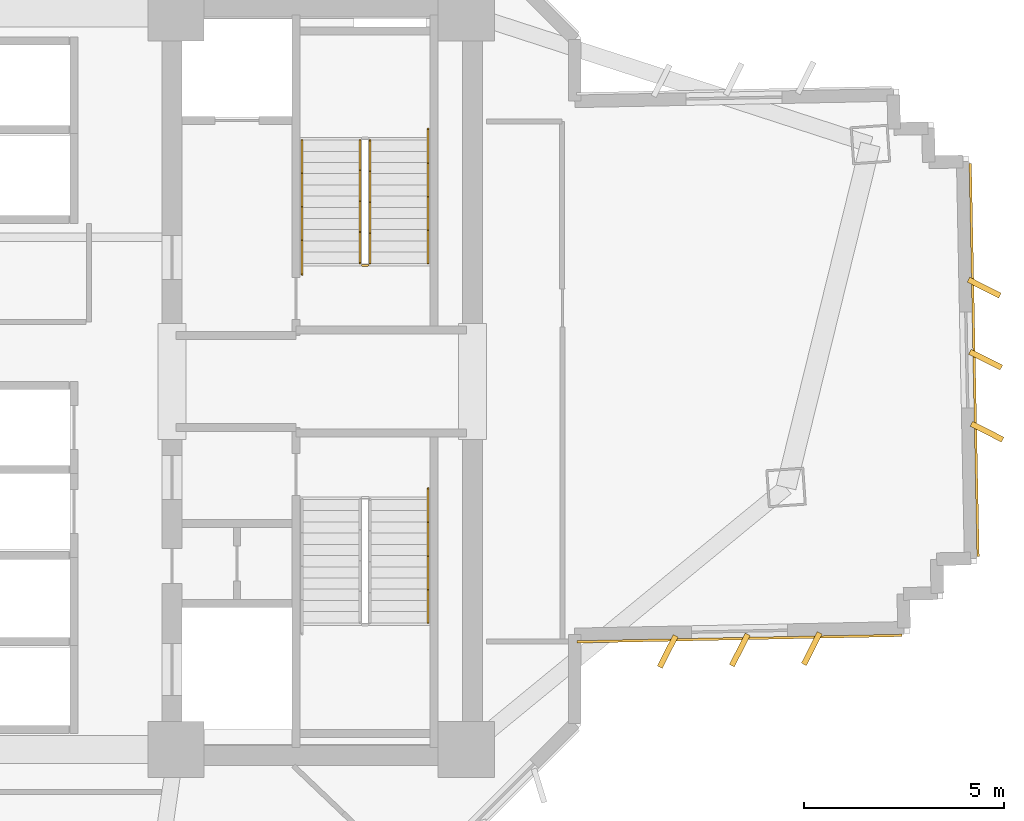
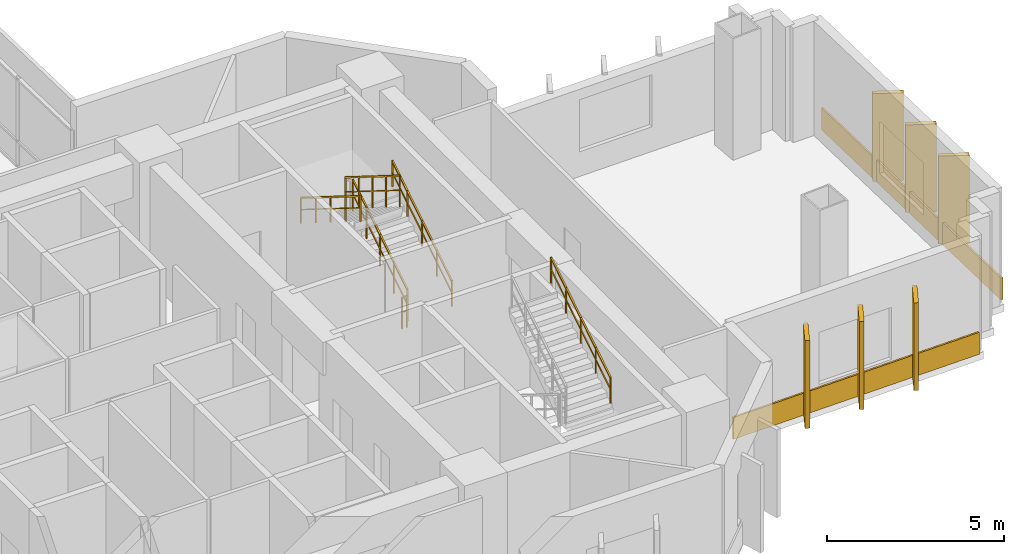
# One storey, part 13 of 15: 8 coverings, 6 railings.
"""IFC4 building model written with IfcOpenShell, lengths in metres."""

import ifcopenshell
import ifcopenshell.guid

model = None  # the IFC model being written
_history = None  # IfcOwnerHistory: only IFC2X3 demands one
_inside = {}  # id of a spatial element -> (the spatial element, [elements in it])
_under = {}  # id of a project, library or spatial element -> (it, [spatial elements below it])
_declared = {}  # id of a project -> (the project, [libraries it declares])
_typed = {}  # id of a type object -> (the type object, [elements of that type])
_made_of = {}  # id of a material, layer set ... -> (it, [elements and type objects made of it])


def new_model(schema):
    """Start an empty IFC model of exactly this schema.

    Asked for "IFC4X3", IfcOpenShell would pick the latest addendum, in which some entities
    have other attributes; the version numbers below select the first issue.
    IFC2X3 requires an IfcOwnerHistory on every rooted entity: one is made here for all.
    """
    global model, _history
    if schema == "IFC4X3":
        model = ifcopenshell.file(schema_version=(4, 3, 0, 0))
    else:
        model = ifcopenshell.file(schema=schema)
    _inside.clear()
    _under.clear()
    _declared.clear()
    _typed.clear()
    _made_of.clear()
    _history = None
    if model.schema == "IFC2X3":
        org = make("IfcOrganization", Name="unknown")
        user = make(
            "IfcPersonAndOrganization",
            ThePerson=make("IfcPerson", FamilyName="unknown"),
            TheOrganization=org,
        )
        app = make(
            "IfcApplication",
            ApplicationDeveloper=org,
            Version="unknown",
            ApplicationFullName="unknown",
            ApplicationIdentifier="unknown",
        )
        _history = make(
            "IfcOwnerHistory",
            OwningUser=user,
            OwningApplication=app,
            ChangeAction="ADDED",
            CreationDate=0,
        )
    return model


def make(cls, **values):
    """One entity of the class cls with the attributes given. An attribute that is None is left unset."""
    return model.create_entity(
        cls, **{name: value for name, value in values.items() if value is not None}
    )


def rooted(cls, **values):
    """An entity with a GlobalId (a new one), such as an element, a storey or a relation."""
    return make(cls, GlobalId=ifcopenshell.guid.new(), OwnerHistory=_history, **values)


def si_unit(unit_type, name, prefix=None):
    """IfcSIUnit, for example si_unit("LENGTHUNIT", "METRE", prefix="MILLI")."""
    return make("IfcSIUnit", UnitType=unit_type, Prefix=prefix, Name=name)


def assignment(units):
    """IfcUnitAssignment: the units of a project."""
    return None if units is None else make("IfcUnitAssignment", Units=units)


def point(xyz):
    """IfcCartesianPoint."""
    return None if xyz is None else make("IfcCartesianPoint", Coordinates=xyz)


def direction(xyz):
    """IfcDirection."""
    return None if xyz is None else make("IfcDirection", DirectionRatios=xyz)


def frame(location, z_axis=None, x_axis=None):
    """IfcAxis2Placement3D, a coordinate frame: its origin and axes. An axis left out is left unset."""
    return make(
        "IfcAxis2Placement3D",
        Location=point(location),
        Axis=direction(z_axis),
        RefDirection=direction(x_axis),
    )


def frame_2d(location, x_axis=None):
    """IfcAxis2Placement2D, a coordinate frame in the plane: its origin and x axis."""
    return make(
        "IfcAxis2Placement2D", Location=point(location), RefDirection=direction(x_axis)
    )


def origin():
    """The frame at (0, 0, 0) with its axes left unset."""
    return frame((0.0, 0.0, 0.0))


def origin_2d():
    """The frame at (0, 0) in the plane with its x axis left unset."""
    return frame_2d((0.0, 0.0))


def place(relative_to, where):
    """IfcLocalPlacement: puts the frame where relative to a parent placement (None: the world)."""
    return make(
        "IfcLocalPlacement", PlacementRelTo=relative_to, RelativePlacement=where
    )


def context(
    kind, dimensions, precision=None, world=None, true_north=None, identifier=None
):
    """IfcGeometricRepresentationContext, for example the 3D "Model" context."""
    return make(
        "IfcGeometricRepresentationContext",
        ContextIdentifier=identifier,
        ContextType=kind,
        CoordinateSpaceDimension=dimensions,
        Precision=precision,
        WorldCoordinateSystem=world,
        TrueNorth=true_north,
    )


def subcontext(parent, identifier, kind, view, scale=None):
    """IfcGeometricRepresentationSubContext, for example "Body" below "Model"."""
    return make(
        "IfcGeometricRepresentationSubContext",
        ContextIdentifier=identifier,
        ContextType=kind,
        ParentContext=parent,
        TargetScale=scale,
        TargetView=view,
    )


def project(units=None, contexts=None):
    """IfcProject with its units and contexts."""
    return rooted(
        "IfcProject",
        Name="project",
        RepresentationContexts=contexts,
        UnitsInContext=assignment(units),
    )


def spatial(cls, under=None, at=None, **own):
    """A site, building, storey or space (cls), placed at a placement, below another one or the project."""
    s = rooted(cls, ObjectPlacement=at, **own)
    if under is not None:
        _under.setdefault(under.id(), (under, []))[1].append(s)
    return s


def profile(cls, at=None, kind="AREA", **sizes):
    """A parametric profile (cls). Its sizes go by their IFC names, for example OverallWidth=200.0."""
    return make(cls, ProfileType=kind, Position=at, **sizes)


def rectangle(**sizes):
    """IfcRectangleProfileDef."""
    return profile("IfcRectangleProfileDef", **sizes)


def extrude(swept, where, along, depth):
    """IfcExtrudedAreaSolid: the profile swept, set in the frame where, extruded along a direction by depth."""
    return make(
        "IfcExtrudedAreaSolid",
        SweptArea=swept,
        Position=where,
        ExtrudedDirection=direction(along),
        Depth=depth,
    )


def shape(context_of_items, identifier, shape_type, items):
    """IfcShapeRepresentation: the items that make up one representation, for example the "Body"."""
    return make(
        "IfcShapeRepresentation",
        ContextOfItems=context_of_items,
        RepresentationIdentifier=identifier,
        RepresentationType=shape_type,
        Items=items,
    )


def source(mapping_origin, context_of_items, identifier, shape_type, items):
    """IfcRepresentationMap: a shape defined once, which mapped items show again and again."""
    return make(
        "IfcRepresentationMap",
        MappingOrigin=mapping_origin,
        MappedRepresentation=shape(context_of_items, identifier, shape_type, items),
    )


def transform(
    local_origin,
    x_axis=None,
    y_axis=None,
    z_axis=None,
    scale=None,
    scale2=None,
    scale3=None,
    uniform=True,
):
    """IfcCartesianTransformationOperator3D, or its non-uniform kind. x_axis, y_axis, z_axis: its Axis1, 2, 3."""
    if uniform:
        return make(
            "IfcCartesianTransformationOperator3D",
            Axis1=direction(x_axis),
            Axis2=direction(y_axis),
            LocalOrigin=point(local_origin),
            Scale=scale,
            Axis3=direction(z_axis),
        )
    return make(
        "IfcCartesianTransformationOperator3DnonUniform",
        Axis1=direction(x_axis),
        Axis2=direction(y_axis),
        LocalOrigin=point(local_origin),
        Scale=scale,
        Axis3=direction(z_axis),
        Scale2=scale2,
        Scale3=scale3,
    )


def mapped(mapping_source, mapping_target):
    """IfcMappedItem: shows the shape of a source again, moved by a transform."""
    return make(
        "IfcMappedItem", MappingSource=mapping_source, MappingTarget=mapping_target
    )


def material(Name=None, Category=None):
    """IfcMaterial."""
    return make("IfcMaterial", Name=Name, Category=Category)


def layer(
    of_material, thickness, ventilated=None, Name=None, Category=None, Priority=None
):
    """IfcMaterialLayer: one layer of a wall or slab, of a material (None: an air gap)."""
    return make(
        "IfcMaterialLayer",
        Material=of_material,
        LayerThickness=thickness,
        IsVentilated=ventilated,
        Name=Name,
        Category=Category,
        Priority=Priority,
    )


def layer_set(layers, Name=None):
    """IfcMaterialLayerSet."""
    return make("IfcMaterialLayerSet", MaterialLayers=layers, LayerSetName=Name)


def made_of(thing, what):
    """Note that an element or type object is made of a material, layer set ...; save() writes the relation."""
    if what is not None:
        _made_of.setdefault(what.id(), (what, []))[1].append(thing)
    return thing


def type_object(cls, material=None, **own):
    """A type object (cls), such as IfcWallType, which elements share."""
    return made_of(rooted(cls, **own), material)


def element(
    cls,
    number,
    at=None,
    inside=None,
    cuts=None,
    type_object=None,
    material=None,
    context=None,
    identifier="Body",
    shape_type=None,
    held_by="IfcProductDefinitionShape",
    body=None,
    shapes=None,
    **own,
):
    """One element of the class cls, such as IfcWall. Its Tag is "e" and its number.

    at: its placement. inside: the storey or other place that contains it. cuts: it is an
    opening in that element (IfcRelVoidsElement). A single representation is given by context,
    identifier, shape_type and body (its items); several are given by shapes. held_by: the class
    of the entity that holds the representations. save() writes the other relations.
    """
    e = rooted(cls, Tag="e%d" % number, ObjectPlacement=at, **own)
    if body is not None:
        shapes = [shape(context, identifier, shape_type, body)]
    if shapes is not None:
        e.Representation = make(held_by, Representations=shapes)
    if inside is not None:
        _inside.setdefault(inside.id(), (inside, []))[1].append(e)
    if cuts is not None:
        rooted(
            "IfcRelVoidsElement", RelatingBuildingElement=cuts, RelatedOpeningElement=e
        )
    if type_object is not None:
        _typed.setdefault(type_object.id(), (type_object, []))[1].append(e)
    return made_of(e, material)


def aggregate(whole, parts):
    """IfcRelAggregates: a whole, such as a stair, and the parts it consists of."""
    return rooted("IfcRelAggregates", RelatingObject=whole, RelatedObjects=parts)


def save(model, path):
    """Write the relations noted so far, then the file.

    IfcRelAggregates (storeys below a building ...), IfcRelContainedInSpatialStructure (elements
    in a storey), IfcRelDefinesByType, IfcRelAssociatesMaterial and IfcRelDeclares: one each for
    every whole, place, type object, material and project.
    """
    for whole, parts in _under.values():
        aggregate(whole, parts)
    for where, things in _inside.values():
        rooted(
            "IfcRelContainedInSpatialStructure",
            RelatedElements=things,
            RelatingStructure=where,
        )
    for kind, things in _typed.values():
        rooted("IfcRelDefinesByType", RelatedObjects=things, RelatingType=kind)
    for what, things in _made_of.values():
        rooted("IfcRelAssociatesMaterial", RelatedObjects=things, RelatingMaterial=what)
    for by, libraries in _declared.values():
        rooted("IfcRelDeclares", RelatingContext=by, RelatedDefinitions=libraries)
    model.write(path)


model = new_model("IFC4")

# Units and contexts
model_context = context("Model", 3, precision=1e-05, world=origin(), true_north=direction((0.0, 1.0)))
body_context = subcontext(model_context, "Body", "Model", "MODEL_VIEW")
ifc_project = project(units=[si_unit("LENGTHUNIT", "METRE"), si_unit("AREAUNIT", "SQUARE_METRE"), si_unit("VOLUMEUNIT", "CUBIC_METRE"), si_unit("PLANEANGLEUNIT", "RADIAN"), si_unit("MASSUNIT", "GRAM", prefix="KILO")], contexts=[model_context])

# Site, building, storey
site_placement = place(None, origin())
site = spatial("IfcSite", under=ifc_project, at=site_placement, CompositionType="ELEMENT")
building_placement = place(site_placement, origin())
building = spatial("IfcBuilding", under=site, at=building_placement, Name="Zahravan Cultural Tower", CompositionType="ELEMENT")
storey_placement = place(building_placement, frame((0.0, 0.0, 50.10009765625)))
storey = spatial("IfcBuildingStorey", under=building, at=storey_placement, Name="L10", CompositionType="ELEMENT", Elevation=50.10009765625)

# Railings
ifc_material_1 = material(Name="Steel ASTM A572 Grade 50", Category="steel")
railing_type_1 = type_object("IfcRailingType", Name="RL-STAIR-GRD1150", PredefinedType="BALUSTRADE", material=ifc_material_1)
railing_1_placement = place(storey_placement, frame((47.949951171875, 29.949951171875, 0.1748046875)))
element("IfcRailing", 1, at=railing_1_placement, inside=storey, type_object=railing_type_1, Name="L10 ST-E1 stair guard 1", PredefinedType="BALUSTRADE", context=body_context, shape_type="SweptSolid", body=[
    extrude(rectangle(XDim=0.05, YDim=0.05, at=origin_2d()), frame((0.0, 0.0, 1.0751953125), z_axis=(0.0, 0.847998304005, 0.529998940003), x_axis=(-1.0, 0.0, 0.0)), (0.0, 0.0, 1.0), 3.632080078125),
    extrude(rectangle(XDim=0.032, YDim=0.032, at=origin_2d()), frame((0.0, 0.0, 0.572021484375), z_axis=(0.0, 0.847998304005, 0.529998940003), x_axis=(-1.0, 0.0, 0.0)), (0.0, 0.0, 1.0), 3.632080078125),
    extrude(rectangle(XDim=0.04, YDim=0.04, at=origin_2d()), origin(), (0.0, 0.0, 1.0), 1.10009765625),
    extrude(rectangle(XDim=0.04, YDim=0.04, at=origin_2d()), frame((0.0, 0.77001953125, 0.481201171875)), (0.0, 0.0, 1.0), 1.10009765625),
    extrude(rectangle(XDim=0.04, YDim=0.04, at=origin_2d()), frame((0.0, 1.5400390625, 0.96240234375)), (0.0, 0.0, 1.0), 1.10009765625),
    extrude(rectangle(XDim=0.04, YDim=0.04, at=origin_2d()), frame((0.0, 2.31005859375, 1.44384765625)), (0.0, 0.0, 1.0), 1.10009765625),
    extrude(rectangle(XDim=0.04, YDim=0.04, at=origin_2d()), frame((0.0, 3.080078125, 1.925048828125)), (0.0, 0.0, 1.0), 1.10009765625),
])
railing_2_placement = place(storey_placement, frame((47.699951171875, 33.030029296875, 2.27490234375)))
element("IfcRailing", 2, at=railing_2_placement, inside=storey, type_object=railing_type_1, Name="L10 ST-E1 stair guard 3", PredefinedType="BALUSTRADE", context=body_context, shape_type="SweptSolid", body=[
    extrude(rectangle(XDim=0.05, YDim=0.05, at=origin_2d()), frame((0.0, 0.0, 1.0751953125), z_axis=(0.0, -0.847998304005, 0.529998940003), x_axis=(1.0, 0.0, 0.0)), (0.0, 0.0, 1.0), 3.632080078125),
    extrude(rectangle(XDim=0.032, YDim=0.032, at=origin_2d()), frame((0.0, 0.0, 0.572021484375), z_axis=(0.0, -0.847998304005, 0.529998940003), x_axis=(1.0, 0.0, 0.0)), (0.0, 0.0, 1.0), 3.632080078125),
    extrude(rectangle(XDim=0.04, YDim=0.04, at=origin_2d()), origin(), (0.0, 0.0, 1.0), 1.10009765625),
    extrude(rectangle(XDim=0.04, YDim=0.04, at=origin_2d()), frame((0.0, -0.77001953125, 0.481201171875)), (0.0, 0.0, 1.0), 1.10009765625),
    extrude(rectangle(XDim=0.04, YDim=0.04, at=origin_2d()), frame((0.0, -1.5400390625, 0.96240234375)), (0.0, 0.0, 1.0), 1.10009765625),
    extrude(rectangle(XDim=0.04, YDim=0.04, at=origin_2d()), frame((0.0, -2.31005859375, 1.44384765625)), (0.0, 0.0, 1.0), 1.10009765625),
    extrude(rectangle(XDim=0.04, YDim=0.04, at=origin_2d()), frame((0.0, -3.080078125, 1.925048828125)), (0.0, 0.0, 1.0), 1.10009765625),
])
railing_3_placement = place(storey_placement, frame((47.89990234375, 29.89990234375, 0.0)))
element("IfcRailing", 3, at=railing_3_placement, inside=storey, type_object=railing_type_1, Name="L10 ST-E1 stair guard 4", PredefinedType="BALUSTRADE", context=body_context, shape_type="SweptSolid", body=[
    extrude(rectangle(XDim=0.05, YDim=0.05, at=origin_2d()), frame((0.0, 0.0, 1.0751953125), z_axis=(-1.0, 0.0, 0.0), x_axis=(0.0, -1.0, 0.0)), (0.0, 0.0, 1.0), 0.14990234375),
    extrude(rectangle(XDim=0.032, YDim=0.032, at=origin_2d()), frame((0.0, 0.0, 0.572021484375), z_axis=(-1.0, 0.0, 0.0), x_axis=(0.0, -1.0, 0.0)), (0.0, 0.0, 1.0), 0.14990234375),
    extrude(rectangle(XDim=0.04, YDim=0.04, at=origin_2d()), origin(), (0.0, 0.0, 1.0), 1.10009765625),
    extrude(rectangle(XDim=0.04, YDim=0.04, at=origin_2d()), frame((-0.14990234375, 0.0, 0.0)), (0.0, 0.0, 1.0), 1.10009765625),
])
railing_type_2 = type_object("IfcRailingType", Name="RL-STAIR-HR900", PredefinedType="HANDRAIL", material=ifc_material_1)
railing_4_placement = place(storey_placement, frame((49.39990234375, 29.949951171875, 0.1748046875)))
element("IfcRailing", 4, at=railing_4_placement, inside=storey, type_object=railing_type_2, Name="L10 ST-E1 stair handrail 1", PredefinedType="HANDRAIL", context=body_context, shape_type="SweptSolid", body=[
    extrude(rectangle(XDim=0.05, YDim=0.05, at=origin_2d()), frame((0.0, 0.0, 0.875), z_axis=(0.0, 0.847994842521, 0.530004478338), x_axis=(-1.0, 0.0, 0.0)), (0.0, 0.0, 1.0), 3.96240234375),
    extrude(rectangle(XDim=0.032, YDim=0.032, at=origin_2d()), frame((0.0, 0.0, 0.468017578125), z_axis=(0.0, 0.847994842521, 0.530004478338), x_axis=(-1.0, 0.0, 0.0)), (0.0, 0.0, 1.0), 3.96240234375),
    extrude(rectangle(XDim=0.04, YDim=0.04, at=origin_2d()), origin(), (0.0, 0.0, 1.0), 0.89990234375),
    extrude(rectangle(XDim=0.04, YDim=0.04, at=origin_2d()), frame((0.0, 0.840087890625, 0.52490234375)), (0.0, 0.0, 1.0), 0.89990234375),
    extrude(rectangle(XDim=0.04, YDim=0.04, at=origin_2d()), frame((0.0, 1.68017578125, 1.050048828125)), (0.0, 0.0, 1.0), 0.89990234375),
    extrude(rectangle(XDim=0.04, YDim=0.04, at=origin_2d()), frame((0.0, 2.52001953125, 1.5751953125)), (0.0, 0.0, 1.0), 0.89990234375),
    extrude(rectangle(XDim=0.04, YDim=0.04, at=origin_2d()), frame((0.0, 3.360107421875, 2.10009765625)), (0.0, 0.0, 1.0), 0.89990234375),
])
railing_5_placement = place(storey_placement, frame((46.25, 33.030029296875, 2.27490234375)))
element("IfcRailing", 5, at=railing_5_placement, inside=storey, type_object=railing_type_2, Name="L10 ST-E1 stair handrail 2", PredefinedType="HANDRAIL", context=body_context, shape_type="SweptSolid", body=[
    extrude(rectangle(XDim=0.05, YDim=0.05, at=origin_2d()), frame((0.0, 0.0, 0.875), z_axis=(0.0, -0.847994842521, 0.530004478338), x_axis=(1.0, 0.0, 0.0)), (0.0, 0.0, 1.0), 3.96240234375),
    extrude(rectangle(XDim=0.032, YDim=0.032, at=origin_2d()), frame((0.0, 0.0, 0.468017578125), z_axis=(0.0, -0.847994842521, 0.530004478338), x_axis=(1.0, 0.0, 0.0)), (0.0, 0.0, 1.0), 3.96240234375),
    extrude(rectangle(XDim=0.04, YDim=0.04, at=origin_2d()), origin(), (0.0, 0.0, 1.0), 0.89990234375),
    extrude(rectangle(XDim=0.04, YDim=0.04, at=origin_2d()), frame((0.0, -0.840087890625, 0.52490234375)), (0.0, 0.0, 1.0), 0.89990234375),
    extrude(rectangle(XDim=0.04, YDim=0.04, at=origin_2d()), frame((0.0, -1.68017578125, 1.050048828125)), (0.0, 0.0, 1.0), 0.89990234375),
    extrude(rectangle(XDim=0.04, YDim=0.04, at=origin_2d()), frame((0.0, -2.52001953125, 1.5751953125)), (0.0, 0.0, 1.0), 0.89990234375),
    extrude(rectangle(XDim=0.04, YDim=0.04, at=origin_2d()), frame((0.0, -3.360107421875, 2.10009765625)), (0.0, 0.0, 1.0), 0.89990234375),
])
railing_6_placement = place(storey_placement, frame((49.39990234375, 20.969970703125, 2.27490234375)))
element("IfcRailing", 6, at=railing_6_placement, inside=storey, type_object=railing_type_2, Name="L10 ST-E2 stair handrail 2", PredefinedType="HANDRAIL", context=body_context, shape_type="SweptSolid", body=[
    extrude(rectangle(XDim=0.05, YDim=0.05, at=origin_2d()), frame((0.0, 0.0, 0.875), z_axis=(0.0, 0.847994842521, 0.530004478338), x_axis=(-1.0, 0.0, 0.0)), (0.0, 0.0, 1.0), 3.96240234375),
    extrude(rectangle(XDim=0.032, YDim=0.032, at=origin_2d()), frame((0.0, 0.0, 0.468017578125), z_axis=(0.0, 0.847994842521, 0.530004478338), x_axis=(-1.0, 0.0, 0.0)), (0.0, 0.0, 1.0), 3.96240234375),
    extrude(rectangle(XDim=0.04, YDim=0.04, at=origin_2d()), origin(), (0.0, 0.0, 1.0), 0.89990234375),
    extrude(rectangle(XDim=0.04, YDim=0.04, at=origin_2d()), frame((0.0, 0.840087890625, 0.52490234375)), (0.0, 0.0, 1.0), 0.89990234375),
    extrude(rectangle(XDim=0.04, YDim=0.04, at=origin_2d()), frame((0.0, 1.68017578125, 1.050048828125)), (0.0, 0.0, 1.0), 0.89990234375),
    extrude(rectangle(XDim=0.04, YDim=0.04, at=origin_2d()), frame((0.0, 2.52001953125, 1.5751953125)), (0.0, 0.0, 1.0), 0.89990234375),
    extrude(rectangle(XDim=0.04, YDim=0.04, at=origin_2d()), frame((0.0, 3.360107421875, 2.10009765625)), (0.0, 0.0, 1.0), 0.89990234375),
])

# Coverings
ifc_material_2 = material(Name="Terracotta ceramic cladding", Category="masonry")
ifc_layer = layer(ifc_material_2, 0.06005859375)
ifc_layer_set = layer_set([ifc_layer], Name="Terracotta ceramic cladding")
covering_type = type_object("IfcCoveringType", Name="COV-CLAD-TC60", PredefinedType="CLADDING", material=ifc_layer_set)
shared_shape_1 = source(origin(), body_context, "Body", "SweptSolid", [
    extrude(rectangle(XDim=9.820068359375, YDim=0.06005859375, at=origin_2d()), origin(), (0.0, 0.0, 1.0), 0.760009765625),
])
covering_1_placement = place(storey_placement, frame((63.03955078125, 27.5380859375, 0.02001953125), z_axis=(0.0, 0.0, 1.0), x_axis=(0.019895440708, -0.999802066131, 0.0)))
element("IfcCovering", 7, at=covering_1_placement, inside=storey, type_object=covering_type, Name="L10 Terracotta Spandrel Cladding 06", PredefinedType="CLADDING", context=body_context, shape_type="MappedRepresentation", body=[
    mapped(shared_shape_1, transform((0.0, 0.0, 0.0), x_axis=(1.0, 0.0, 0.0), y_axis=(0.0, 1.0, 0.0), z_axis=(0.0, 0.0, 1.0), scale=1.0)),
])
shared_shape_2 = source(origin(), body_context, "Body", "SweptSolid", [
    extrude(rectangle(XDim=0.8798828125, YDim=0.139892578125, at=origin_2d()), origin(), (0.0, 0.0, 1.0), 3.030029296875),
])
for number, where, z_axis, x_axis, name in (
    (8, (63.288818359375, 29.343505859375, 0.0498046875), (0.0, 0.0, 1.0), (0.892113171267, -0.451812006981, 0.0), "L10 Herringbone Terracotta Fin 04"),
    (9, (63.32470703125, 27.543701171875, 0.0498046875), (0.0, 0.0, 1.0), (0.892113171267, -0.451812006981, 0.0), "L10 Herringbone Terracotta Fin 05"),
    (10, (63.3603515625, 25.744140625, 0.0498046875), (0.0, 0.0, 1.0), (0.892113171267, -0.451812006981, 0.0), "L10 Herringbone Terracotta Fin 06"),
    (11, (58.982666015625, 20.325927734375, 0.0498046875), (0.0, 0.0, 1.0), (-0.4517964366, -0.892121056738, 0.0), "L10 Herringbone Terracotta Fin 07"),
    (12, (57.18310546875, 20.2900390625, 0.0498046875), (0.0, 0.0, 1.0), (-0.4517964366, -0.892121056738, 0.0), "L10 Herringbone Terracotta Fin 08"),
    (13, (55.383544921875, 20.25439453125, 0.0498046875), (0.0, 0.0, 1.0), (-0.4517964366, -0.892121056738, 0.0), "L10 Herringbone Terracotta Fin 09"),
):
    element("IfcCovering", number, at=place(storey_placement, frame(where, z_axis=z_axis, x_axis=x_axis)), inside=storey, type_object=covering_type, Name=name, PredefinedType="CLADDING", context=body_context, shape_type="MappedRepresentation", body=[
        mapped(shared_shape_2, transform((0.0, 0.0, 0.0), x_axis=(1.0, 0.0, 0.0), y_axis=(0.0, 1.0, 0.0), z_axis=(0.0, 0.0, 1.0), scale=1.0)),
    ])
shared_shape_3 = source(origin(), body_context, "Body", "SweptSolid", [
    extrude(rectangle(XDim=8.129150390625, YDim=0.06005859375, at=origin_2d()), origin(), (0.0, 0.0, 1.0), 0.760009765625),
])
covering_2_placement = place(storey_placement, frame((57.177490234375, 20.574951171875, 0.02001953125), z_axis=(0.0, 0.0, 1.0), x_axis=(-0.999801718737, -0.019912890543, 0.0)))
element("IfcCovering", 14, at=covering_2_placement, inside=storey, type_object=covering_type, Name="L10 Terracotta Spandrel Cladding 11", PredefinedType="CLADDING", context=body_context, shape_type="MappedRepresentation", body=[
    mapped(shared_shape_3, transform((0.0, 0.0, 0.0), x_axis=(1.0, 0.0, 0.0), y_axis=(0.0, 1.0, 0.0), z_axis=(0.0, 0.0, 1.0), scale=1.0)),
])

save(model, "model.ifc")
